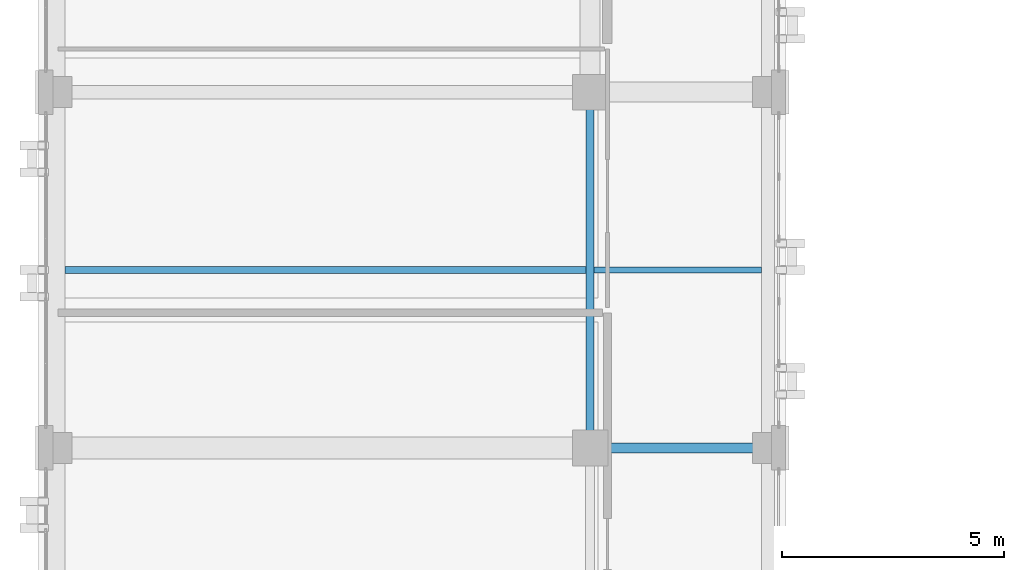
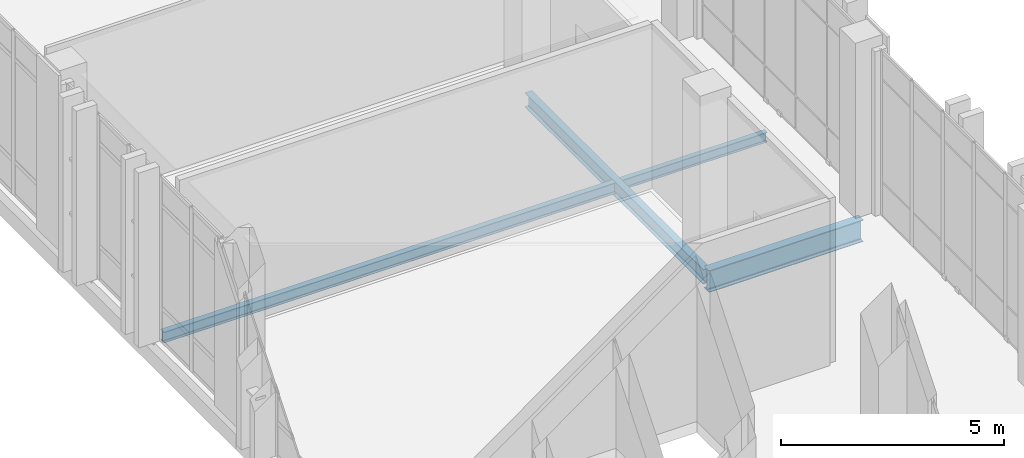
# One storey, part 28 of 189: 4 beams.
"""IFC4 building model written with IfcOpenShell, lengths in metres."""

from ifc_helpers import new_model, si_unit, direction, frame, origin, origin_2d, place, context, subcontext, project, spatial, i_section, extrude, material, material_profile, profile_set, type_object, element, save


model = new_model("IFC4")

# Units and contexts
model_context = context("Model", 3, precision=1e-05, world=origin(), true_north=direction((0.0, 1.0)))
body_context = subcontext(model_context, "Body", "Model", "MODEL_VIEW")
ifc_project = project(units=[si_unit("LENGTHUNIT", "METRE"), si_unit("AREAUNIT", "SQUARE_METRE"), si_unit("VOLUMEUNIT", "CUBIC_METRE"), si_unit("PLANEANGLEUNIT", "RADIAN"), si_unit("MASSUNIT", "GRAM", prefix="KILO")], contexts=[model_context])

# Site, building, storey
site_placement = place(None, origin())
site = spatial("IfcSite", under=ifc_project, at=site_placement, CompositionType="ELEMENT")
building_placement = place(site_placement, origin())
building = spatial("IfcBuilding", under=site, at=building_placement, Name="Qalavern Law Courts", CompositionType="ELEMENT")
storey_placement = place(building_placement, frame((0.0, 0.0, 5.39990234375)))
storey = spatial("IfcBuildingStorey", under=building, at=storey_placement, Name="L01", CompositionType="ELEMENT", Elevation=5.39990234375)

# Beams
ifc_material = material(Name="Steel S355", Category="steel")
ifc_material_profile_1 = material_profile(ifc_material, i_section(OverallWidth=0.179931640625, OverallDepth=0.39990234375, WebThickness=0.008544921875, FlangeThickness=0.013427734375, FilletRadius=0.02099609375, at=origin_2d()), Name="IPE 400")
ifc_profile_set_1 = profile_set([ifc_material_profile_1], Name="Steel S355")
beam_type_1 = type_object("IfcBeamType", Name="STR-BM-IPE400", PredefinedType="BEAM", material=ifc_profile_set_1)
beam_1_placement = place(storey_placement, frame((14.39990234375, 57.39990234375, -0.5), z_axis=(0.0, 1.0, 0.0), x_axis=(-1.0, 0.0, 0.0)))
element("IfcBeam", 1, at=beam_1_placement, inside=storey, type_object=beam_type_1, Name="V3 Y-beam 2-3 L01", PredefinedType="BEAM", context=body_context, shape_type="SweptSolid", body=[
    extrude(i_section(OverallWidth=0.179931640625, OverallDepth=0.39990234375, WebThickness=0.008544921875, FlangeThickness=0.013427734375, FilletRadius=0.02099609375, at=origin_2d()), origin(), (0.0, 0.0, 1.0), 8.0),
])
ifc_material_profile_2 = material_profile(ifc_material, i_section(OverallWidth=0.219970703125, OverallDepth=0.60009765625, WebThickness=0.011962890625, FlangeThickness=0.01904296875, FilletRadius=0.02392578125, at=origin_2d()), Name="IPE 600")
ifc_profile_set_2 = profile_set([ifc_material_profile_2], Name="Steel S355")
beam_type_2 = type_object("IfcBeamType", Name="STR-BM-IPE600", PredefinedType="BEAM", material=ifc_profile_set_2)
beam_2_placement = place(storey_placement, frame((14.39990234375, 57.39990234375, -0.599853515625), z_axis=(1.0, 0.0, 0.0), x_axis=(0.0, 1.0, 0.0)))
element("IfcBeam", 2, at=beam_2_placement, inside=storey, type_object=beam_type_2, Name="V3 X-beam 3-2 L01", PredefinedType="BEAM", context=body_context, shape_type="SweptSolid", body=[
    extrude(i_section(OverallWidth=0.219970703125, OverallDepth=0.60009765625, WebThickness=0.011962890625, FlangeThickness=0.01904296875, FilletRadius=0.02392578125, at=origin_2d()), origin(), (0.0, 0.0, 1.0), 4.0),
])
ifc_material_profile_3 = material_profile(ifc_material, i_section(OverallWidth=0.135009765625, OverallDepth=0.27001953125, WebThickness=0.006591796875, FlangeThickness=0.01025390625, FilletRadius=0.014892578125, at=origin_2d()), Name="IPE 270")
ifc_profile_set_3 = profile_set([ifc_material_profile_3], Name="Steel S355")
beam_type_3 = type_object("IfcBeamType", Name="STR-JST-IPE270", PredefinedType="JOIST", material=ifc_profile_set_3)
beam_3_placement = place(storey_placement, frame((14.488037109375, 61.39990234375, -0.434814453125), z_axis=(1.0, 0.0, 0.0), x_axis=(0.0, 1.0, 0.0)))
element("IfcBeam", 3, at=beam_3_placement, inside=storey, type_object=beam_type_3, Name="V3 secondary joist 2.3.1 L01", PredefinedType="JOIST", context=body_context, shape_type="SweptSolid", body=[
    extrude(i_section(OverallWidth=0.135009765625, OverallDepth=0.27001953125, WebThickness=0.006591796875, FlangeThickness=0.01025390625, FilletRadius=0.014892578125, at=origin_2d()), origin(), (0.0, 0.0, 1.0), 3.763916015625),
])
ifc_material_profile_4 = material_profile(ifc_material, i_section(OverallWidth=0.14990234375, OverallDepth=0.300048828125, WebThickness=0.007080078125, FlangeThickness=0.0107421875, FilletRadius=0.014892578125, at=origin_2d()), Name="IPE 300")
ifc_profile_set_4 = profile_set([ifc_material_profile_4], Name="Steel S355")
beam_type_4 = type_object("IfcBeamType", Name="STR-JST-IPE300", PredefinedType="JOIST", material=ifc_profile_set_4)
beam_4_placement = place(storey_placement, frame((2.597900390625, 61.39990234375, -0.449951171875), z_axis=(1.0, 0.0, 0.0), x_axis=(0.0, 1.0, 0.0)))
element("IfcBeam", 4, at=beam_4_placement, inside=storey, type_object=beam_type_4, Name="V3 secondary joist 1.3.1 L01", PredefinedType="JOIST", context=body_context, shape_type="SweptSolid", body=[
    extrude(i_section(OverallWidth=0.14990234375, OverallDepth=0.300048828125, WebThickness=0.007080078125, FlangeThickness=0.0107421875, FilletRadius=0.014892578125, at=origin_2d()), origin(), (0.0, 0.0, 1.0), 11.714111328125),
])

save(model, "model.ifc")
